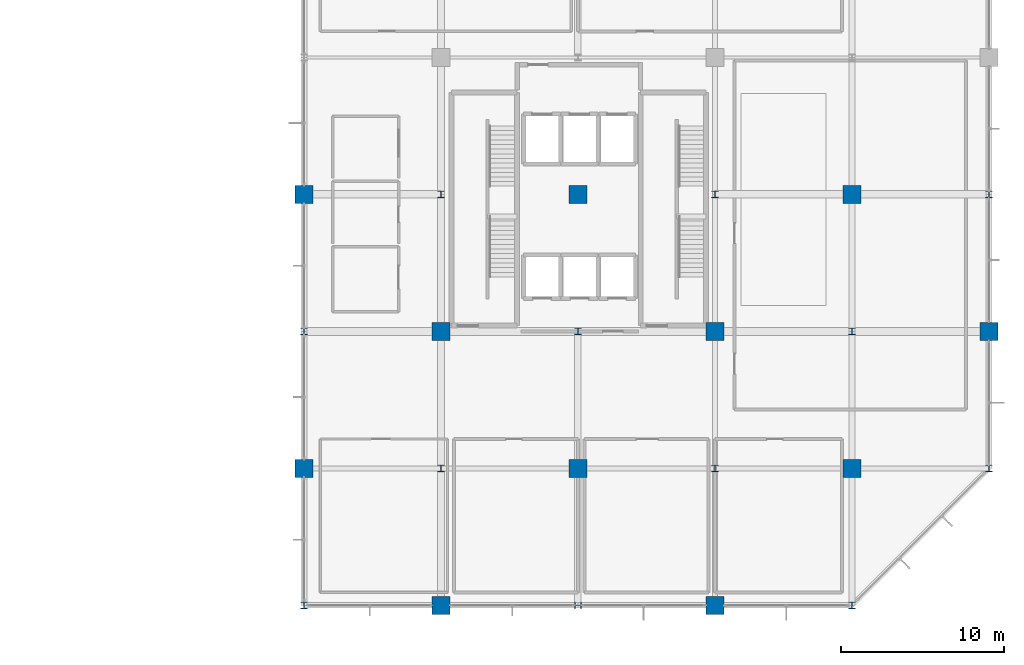
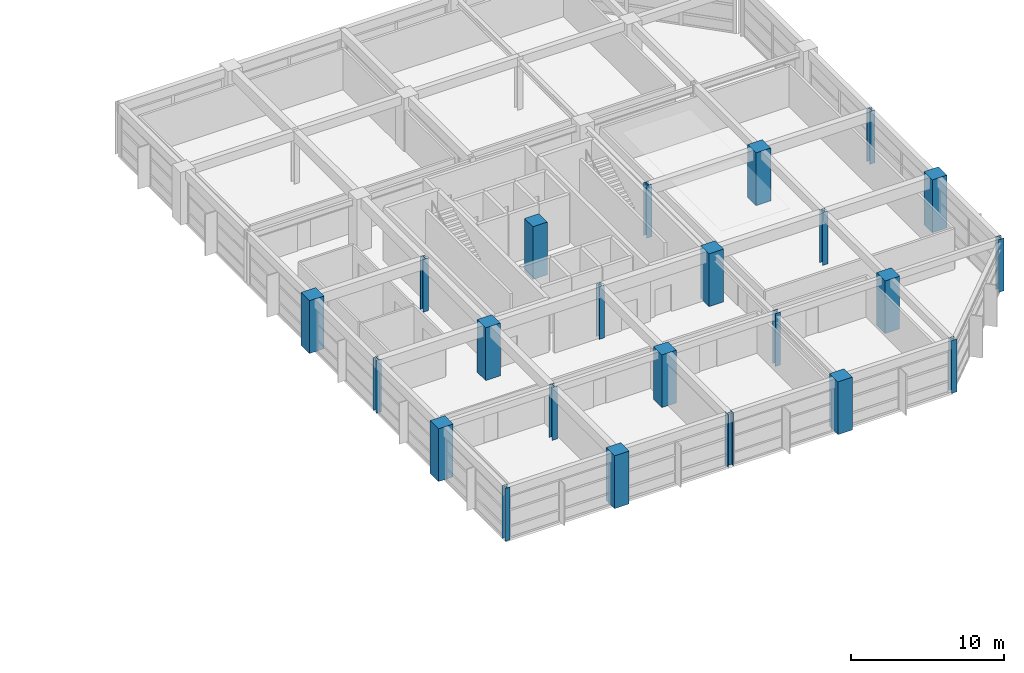
# One storey, part 2 of 19: 23 columns.
"""IFC4 building model written with IfcOpenShell, lengths in metres."""

from ifc_helpers import new_model, si_unit, direction, frame, origin, origin_2d, place, context, subcontext, project, spatial, rectangle, i_section, extrude, material, material_profile, profile_set, type_object, element, save


model = new_model("IFC4")

# Units and contexts
model_context = context("Model", 3, precision=1e-05, world=origin(), true_north=direction((0.0, 1.0)))
body_context = subcontext(model_context, "Body", "Model", "MODEL_VIEW")
ifc_project = project(units=[si_unit("LENGTHUNIT", "METRE"), si_unit("AREAUNIT", "SQUARE_METRE"), si_unit("VOLUMEUNIT", "CUBIC_METRE"), si_unit("PLANEANGLEUNIT", "RADIAN"), si_unit("MASSUNIT", "GRAM", prefix="KILO")], contexts=[model_context])

# Site, building, storey
site_placement = place(None, origin())
site = spatial("IfcSite", under=ifc_project, at=site_placement, CompositionType="ELEMENT")
building_placement = place(site_placement, origin())
building = spatial("IfcBuilding", under=site, at=building_placement, Name="Xuanlan Plaza Opera House", CompositionType="ELEMENT")
storey_placement = place(building_placement, frame((0.0, 0.0, 36.300048828125)))
storey = spatial("IfcBuildingStorey", under=building, at=storey_placement, Name="L08", CompositionType="ELEMENT", Elevation=36.300048828125)

# Columns
ifc_material_1 = material(Name="Concrete C50", Category="concrete")
ifc_material_profile_1 = material_profile(ifc_material_1, rectangle(XDim=1.10009765625, YDim=1.10009765625, at=origin_2d()), Name="RC-COL 1100x1100")
ifc_profile_set_1 = profile_set([ifc_material_profile_1], Name="Concrete C50")
column_type_1 = type_object("IfcColumnType", Name="STR-COL-C-03", PredefinedType="COLUMN", material=ifc_profile_set_1)
for number, where, z_axis, x_axis, name in (
    (1, (126.0, 42.0, 0.0), (0.0, 0.0, 1.0), (1.0, 0.0, 0.0), "Column L08 16-F"),
    (2, (126.0, 58.800048828125, 0.0), (0.0, 0.0, 1.0), (1.0, 0.0, 0.0), "Column L08 16-H"),
    (3, (134.39990234375, 33.60009765625, 0.0), (0.0, 0.0, 1.0), (1.0, 0.0, 0.0), "Column L08 17-E"),
    (4, (134.39990234375, 50.39990234375, 0.0), (0.0, 0.0, 1.0), (1.0, 0.0, 0.0), "Column L08 17-G"),
    (5, (142.800048828125, 42.0, 0.0), (0.0, 0.0, 1.0), (1.0, 0.0, 0.0), "Column L08 18-F"),
    (6, (142.800048828125, 58.800048828125, 0.0), (0.0, 0.0, 1.0), (1.0, 0.0, 0.0), "Column L08 18-H"),
    (7, (151.199951171875, 33.60009765625, 0.0), (0.0, 0.0, 1.0), (1.0, 0.0, 0.0), "Column L08 19-E"),
    (8, (151.199951171875, 50.39990234375, 0.0), (0.0, 0.0, 1.0), (1.0, 0.0, 0.0), "Column L08 19-G"),
    (9, (159.60009765625, 42.0, 0.0), (0.0, 0.0, 1.0), (1.0, 0.0, 0.0), "Column L08 20-F"),
    (10, (159.60009765625, 58.800048828125, 0.0), (0.0, 0.0, 1.0), (1.0, 0.0, 0.0), "Column L08 20-H"),
    (11, (168.0, 50.39990234375, 0.0), (0.0, 0.0, 1.0), (1.0, 0.0, 0.0), "Column L08 21-G"),
):
    element("IfcColumn", number, at=place(storey_placement, frame(where, z_axis=z_axis, x_axis=x_axis)), inside=storey, type_object=column_type_1, Name=name, PredefinedType="COLUMN", context=body_context, shape_type="SweptSolid", body=[
        extrude(rectangle(XDim=1.10009765625, YDim=1.10009765625, at=origin_2d()), origin(), (0.0, 0.0, 1.0), 4.199951171875),
    ])
ifc_material_2 = material(Name="Steel Q355B", Category="steel")
ifc_material_profile_2 = material_profile(ifc_material_2, i_section(OverallWidth=0.39990234375, OverallDepth=0.39990234375, WebThickness=0.012939453125, FlangeThickness=0.02099609375, FilletRadius=0.02197265625, at=origin_2d()), Name="HW 400x400x13x21")
ifc_profile_set_2 = profile_set([ifc_material_profile_2], Name="Steel Q355B")
column_type_2 = type_object("IfcColumnType", Name="STR-COL-C-14", PredefinedType="COLUMN", material=ifc_profile_set_2)
for number, where, z_axis, x_axis, name in (
    (12, (126.0, 33.60009765625, 0.0), (0.0, 0.0, 1.0), (1.0, 0.0, 0.0), "Column L08 16-E"),
    (13, (126.0, 50.39990234375, 0.0), (0.0, 0.0, 1.0), (1.0, 0.0, 0.0), "Column L08 16-G"),
    (14, (134.39990234375, 42.0, 0.0), (0.0, 0.0, 1.0), (1.0, 0.0, 0.0), "Column L08 17-F"),
    (15, (134.39990234375, 58.800048828125, 0.0), (0.0, 0.0, 1.0), (1.0, 0.0, 0.0), "Column L08 17-H"),
    (16, (142.800048828125, 33.60009765625, 0.0), (0.0, 0.0, 1.0), (0.0, 1.0, 0.0), "Column L08 18-E"),
    (17, (142.800048828125, 50.39990234375, 0.0), (0.0, 0.0, 1.0), (1.0, 0.0, 0.0), "Column L08 18-G"),
    (18, (151.199951171875, 42.0, 0.0), (0.0, 0.0, 1.0), (1.0, 0.0, 0.0), "Column L08 19-F"),
    (19, (151.199951171875, 58.800048828125, 0.0), (0.0, 0.0, 1.0), (1.0, 0.0, 0.0), "Column L08 19-H"),
    (20, (159.60009765625, 33.60009765625, 0.0), (0.0, 0.0, 1.0), (1.0, 0.0, 0.0), "Column L08 20-E"),
    (21, (159.60009765625, 50.39990234375, 0.0), (0.0, 0.0, 1.0), (1.0, 0.0, 0.0), "Column L08 20-G"),
    (22, (168.0, 42.0, 0.0), (0.0, 0.0, 1.0), (1.0, 0.0, 0.0), "Column L08 21-F"),
    (23, (168.0, 58.800048828125, 0.0), (0.0, 0.0, 1.0), (1.0, 0.0, 0.0), "Column L08 21-H"),
):
    element("IfcColumn", number, at=place(storey_placement, frame(where, z_axis=z_axis, x_axis=x_axis)), inside=storey, type_object=column_type_2, Name=name, PredefinedType="COLUMN", context=body_context, shape_type="SweptSolid", body=[
        extrude(i_section(OverallWidth=0.39990234375, OverallDepth=0.39990234375, WebThickness=0.012939453125, FlangeThickness=0.02099609375, FilletRadius=0.02197265625, at=origin_2d()), origin(), (0.0, 0.0, 1.0), 4.199951171875),
    ])

save(model, "model.ifc")
